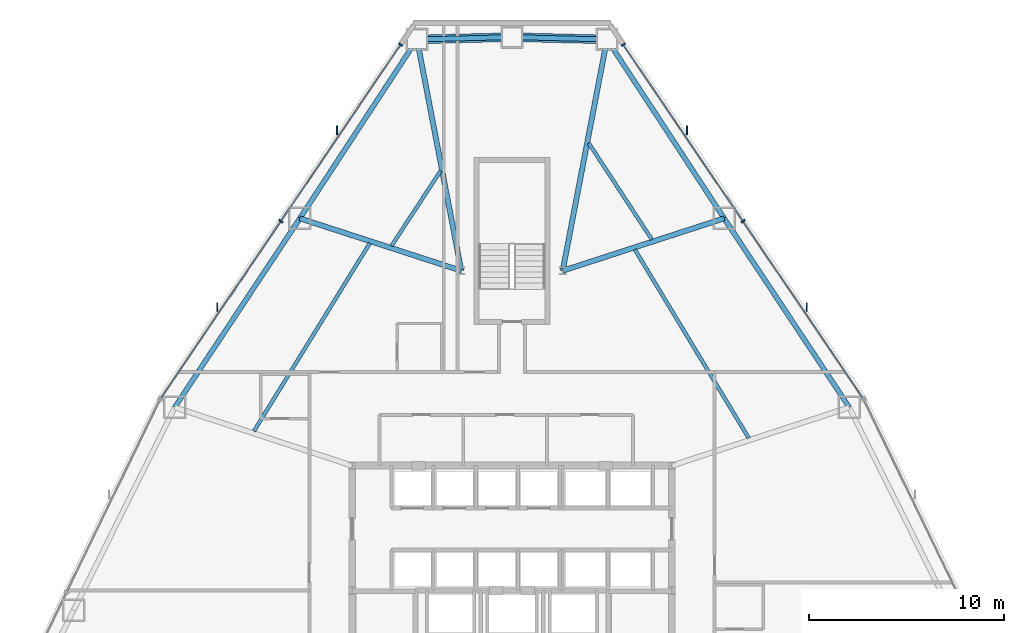
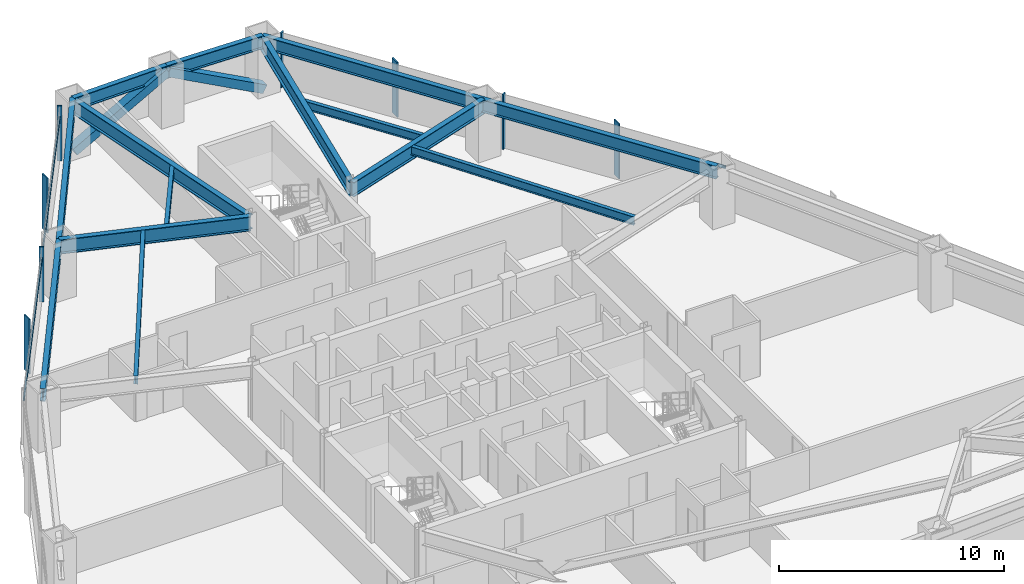
# One storey, part 7 of 12: 14 beams, 12 members, 2 elements without a shape of their own.
"""IFC4 building model written with IfcOpenShell, lengths in metres."""

from ifc_helpers import new_model, si_unit, direction, frame, origin, origin_2d, place, context, subcontext, project, spatial, rectangle, hollow_rectangle, i_section, extrude, source, transform, mapped, material, layer, layer_set, material_profile, profile_set, type_object, type_shapes, element, aggregate, save


model = new_model("IFC4")

# Units and contexts
model_context = context("Model", 3, precision=1e-05, world=origin(), true_north=direction((0.0, 1.0)))
body_context = subcontext(model_context, "Body", "Model", "MODEL_VIEW")
ifc_project = project(units=[si_unit("LENGTHUNIT", "METRE"), si_unit("AREAUNIT", "SQUARE_METRE"), si_unit("VOLUMEUNIT", "CUBIC_METRE"), si_unit("PLANEANGLEUNIT", "RADIAN"), si_unit("MASSUNIT", "GRAM", prefix="KILO")], contexts=[model_context])

# Site, building, storey
site_placement = place(None, origin())
site = spatial("IfcSite", under=ifc_project, at=site_placement, CompositionType="ELEMENT")
building_placement = place(site_placement, origin())
building = spatial("IfcBuilding", under=site, at=building_placement, Name="Varakhsha Concourse Tower", CompositionType="ELEMENT")
storey_placement = place(building_placement, frame((0.0, 0.0, 59.199951171875)))
storey = spatial("IfcBuildingStorey", under=building, at=storey_placement, Name="L16", CompositionType="ELEMENT", Elevation=59.199951171875)

# Beams
ifc_material_1 = material(Name="Structural Steel ASTM A992 Grade 50", Category="steel")
ifc_material_profile_1 = material_profile(ifc_material_1, i_section(OverallWidth=0.26611328125, OverallDepth=0.779052734375, WebThickness=0.01708984375, FlangeThickness=0.030029296875, at=origin_2d()), Name="W30X148")
ifc_profile_set_1 = profile_set([ifc_material_profile_1], Name="Structural Steel ASTM A992 Grade 50")
beam_type_1 = type_object("IfcBeamType", Name="BM-BASE-W30X148", PredefinedType="USERDEFINED", material=ifc_profile_set_1)
for number, where, z_axis, x_axis, name in (
    (1, (42.60009765625, 41.199951171875, 2.590576171875), (0.188222379663, 0.982126435747, 0.0), (-0.982126435747, 0.188222379663, 0.0), "L16 Radial Floor Girder 01"),
    (2, (37.39990234375, 41.199951171875, 2.590576171875), (-0.188222379663, 0.982126435747, 0.0), (-0.982126435747, -0.188222379663, 0.0), "L16 Radial Floor Girder 03"),
):
    element("IfcBeam", number, at=place(storey_placement, frame(where, z_axis=z_axis, x_axis=x_axis)), inside=storey, type_object=beam_type_1, Name=name, ObjectType="GIRDER", PredefinedType="USERDEFINED", context=body_context, shape_type="SweptSolid", body=[
        extrude(i_section(OverallWidth=0.26611328125, OverallDepth=0.779052734375, WebThickness=0.01708984375, FlangeThickness=0.030029296875, at=origin_2d()), origin(), (0.0, 0.0, 1.0), 12.083740234375),
    ])
for number, where, z_axis, x_axis, name in (
    (3, (37.39990234375, 41.199951171875, 2.590576171875), (-0.951195245135, 0.308589704354, 0.0), (-0.308589704354, -0.951195245135, 0.0), "L16 Radial Floor Girder 04"),
    (4, (42.60009765625, 41.199951171875, 2.590576171875), (0.951195245135, 0.308589704354, 0.0), (-0.308589704354, 0.951195245135, 0.0), "L16 Radial Floor Girder 18"),
):
    element("IfcBeam", number, at=place(storey_placement, frame(where, z_axis=z_axis, x_axis=x_axis)), inside=storey, type_object=beam_type_1, Name=name, ObjectType="GIRDER", PredefinedType="USERDEFINED", context=body_context, shape_type="SweptSolid", body=[
        extrude(i_section(OverallWidth=0.26611328125, OverallDepth=0.779052734375, WebThickness=0.01708984375, FlangeThickness=0.030029296875, at=origin_2d()), origin(), (0.0, 0.0, 1.0), 8.708984375),
    ])
ifc_material_profile_2 = material_profile(ifc_material_1, i_section(OverallWidth=0.19091796875, OverallDepth=0.45703125, WebThickness=0.009033203125, FlangeThickness=0.013916015625, at=origin_2d()), Name="W18X50")
ifc_profile_set_2 = profile_set([ifc_material_profile_2], Name="Structural Steel ASTM A992 Grade 50")
beam_type_2 = type_object("IfcBeamType", Name="BM-JST-W18X50", PredefinedType="JOIST", material=ifc_profile_set_2)
beam_1_placement = place(storey_placement, frame((36.339111328125, 46.32958984375, 2.75146484375), z_axis=(-0.547760334165, -0.836635294687, 0.0), x_axis=(0.836635294687, -0.547760334165, 0.0)))
element("IfcBeam", 5, at=beam_1_placement, inside=storey, type_object=beam_type_2, Name="BM-TJST-L16-03", PredefinedType="JOIST", context=body_context, shape_type="SweptSolid", body=[
    extrude(i_section(OverallWidth=0.19091796875, OverallDepth=0.45703125, WebThickness=0.009033203125, FlangeThickness=0.013916015625, at=origin_2d()), origin(), (0.0, 0.0, 1.0), 4.607666015625),
])
beam_2_placement = place(storey_placement, frame((32.703125, 42.611328125, 2.75146484375), z_axis=(-0.524765861285, -0.851246609878, 0.0), x_axis=(0.851246609878, -0.524765861285, 0.0)))
element("IfcBeam", 6, at=beam_2_placement, inside=storey, type_object=beam_type_2, Name="BM-TJST-L16-04", PredefinedType="JOIST", context=body_context, shape_type="SweptSolid", body=[
    extrude(i_section(OverallWidth=0.19091796875, OverallDepth=0.45703125, WebThickness=0.009033203125, FlangeThickness=0.013916015625, at=origin_2d()), origin(), (0.0, 0.0, 1.0), 11.32763671875),
])
beam_3_placement = place(storey_placement, frame((52.1494140625, 32.6103515625, 2.75146484375), z_axis=(-0.51713508233, 0.855903795192, 0.0), x_axis=(-0.855903795192, -0.51713508233, 0.0)))
element("IfcBeam", 7, at=beam_3_placement, inside=storey, type_object=beam_type_2, Name="BM-TJST-L16-17", PredefinedType="JOIST", context=body_context, shape_type="SweptSolid", body=[
    extrude(i_section(OverallWidth=0.19091796875, OverallDepth=0.45703125, WebThickness=0.009033203125, FlangeThickness=0.013916015625, at=origin_2d()), origin(), (0.0, 0.0, 1.0), 11.307373046875),
])
beam_4_placement = place(storey_placement, frame((47.1787109375, 42.797119140625, 2.75146484375), z_axis=(-0.547710053226, 0.836668212373, 0.0), x_axis=(-0.836668212373, -0.547710053226, 0.0)))
element("IfcBeam", 8, at=beam_4_placement, inside=storey, type_object=beam_type_2, Name="BM-TJST-L16-18", PredefinedType="JOIST", context=body_context, shape_type="SweptSolid", body=[
    extrude(i_section(OverallWidth=0.19091796875, OverallDepth=0.45703125, WebThickness=0.009033203125, FlangeThickness=0.013916015625, at=origin_2d()), origin(), (0.0, 0.0, 1.0), 5.92431640625),
])
ifc_material_profile_3 = material_profile(ifc_material_1, i_section(OverallWidth=0.25390625, OverallDepth=0.701904296875, WebThickness=0.014892578125, FlangeThickness=0.028076171875, at=origin_2d()), Name="W27X129")
ifc_profile_set_3 = profile_set([ifc_material_profile_3], Name="Structural Steel ASTM A992 Grade 50")
beam_type_3 = type_object("IfcBeamType", Name="BM-SPAN-W27X129", PredefinedType="SPANDREL", material=ifc_profile_set_3)
for number, where, z_axis, x_axis, name in (
    (9, (44.87451171875, 53.067626953125, 2.629150390625), (-0.999707523102, 0.024184049567, 0.0), (-0.024184049567, -0.999707523102, 0.0), "BM-SPAN-L16-01"),
    (10, (40.0, 53.185546875, 2.629150390625), (-0.999707523102, -0.024184049567, 0.0), (0.024184049567, -0.999707523102, 0.0), "BM-SPAN-L16-02"),
):
    element("IfcBeam", number, at=place(storey_placement, frame(where, z_axis=z_axis, x_axis=x_axis)), inside=storey, type_object=beam_type_3, Name=name, PredefinedType="SPANDREL", context=body_context, shape_type="SweptSolid", body=[
        extrude(i_section(OverallWidth=0.25390625, OverallDepth=0.701904296875, WebThickness=0.014892578125, FlangeThickness=0.028076171875, at=origin_2d()), origin(), (0.0, 0.0, 1.0), 4.8759765625),
    ])
beam_5_placement = place(storey_placement, frame((35.12548828125, 53.067626953125, 2.629150390625), z_axis=(-0.547702506559, -0.836673152616, 0.0), x_axis=(0.836673152616, -0.547702506559, 0.0)))
element("IfcBeam", 11, at=beam_5_placement, inside=storey, type_object=beam_type_3, Name="BM-SPAN-L16-03", PredefinedType="SPANDREL", context=body_context, shape_type="SweptSolid", body=[
    extrude(i_section(OverallWidth=0.25390625, OverallDepth=0.701904296875, WebThickness=0.014892578125, FlangeThickness=0.028076171875, at=origin_2d()), origin(), (0.0, 0.0, 1.0), 10.97216796875),
])
for number, where, z_axis, x_axis, name in (
    (12, (29.115966796875, 43.887451171875, 2.629150390625), (-0.552159070961, -0.833738784246, 0.0), (0.833738784246, -0.552159070961, 0.0), "BM-SPAN-L16-04"),
    (13, (57.305419921875, 34.19140625, 2.629150390625), (-0.552159070961, 0.833738784246, 0.0), (-0.833738784246, -0.552159070961, 0.0), "BM-SPAN-L16-17"),
):
    element("IfcBeam", number, at=place(storey_placement, frame(where, z_axis=z_axis, x_axis=x_axis)), inside=storey, type_object=beam_type_3, Name=name, PredefinedType="SPANDREL", context=body_context, shape_type="SweptSolid", body=[
        extrude(i_section(OverallWidth=0.25390625, OverallDepth=0.701904296875, WebThickness=0.014892578125, FlangeThickness=0.028076171875, at=origin_2d()), origin(), (0.0, 0.0, 1.0), 11.629638671875),
    ])
beam_6_placement = place(storey_placement, frame((50.884033203125, 43.887451171875, 2.629150390625), z_axis=(-0.547702506559, 0.836673152616, 0.0), x_axis=(-0.836673152616, -0.547702506559, 0.0)))
element("IfcBeam", 14, at=beam_6_placement, inside=storey, type_object=beam_type_3, Name="BM-SPAN-L16-18", PredefinedType="SPANDREL", context=body_context, shape_type="SweptSolid", body=[
    extrude(i_section(OverallWidth=0.25390625, OverallDepth=0.701904296875, WebThickness=0.014892578125, FlangeThickness=0.028076171875, at=origin_2d()), origin(), (0.0, 0.0, 1.0), 10.97216796875),
])

# Members
ifc_material_2 = material(Name="Structural Steel ASTM A500 Grade C", Category="steel")
ifc_material_profile_4 = material_profile(ifc_material_2, hollow_rectangle(XDim=0.449951171875, YDim=0.449951171875, WallThickness=0.01904296875, at=origin_2d()), Name="HSS 450x450x19")
ifc_profile_set_4 = profile_set([ifc_material_profile_4], Name="Structural Steel ASTM A500 Grade C")
member_type_1 = type_object("IfcMemberType", Name="MB-TUBE-HSS450", PredefinedType="BRACE", material=ifc_profile_set_4)
shared_shape_1 = source(origin(), body_context, "Body", "SweptSolid", [
    extrude(hollow_rectangle(XDim=0.449951171875, YDim=0.449951171875, WallThickness=0.01904296875, at=origin_2d()), origin(), (0.0, 0.0, 1.0), 5.507080078125),
])
type_shapes(member_type_1, [shared_shape_1])
for number, where, z_axis, x_axis, name in (
    (15, (44.87451171875, 53.067626953125, 0.1201171875), (-0.885142896745, 0.02141260238, 0.464826368445), (-0.024184049567, -0.999707523102, 0.0), "L16 Wind-Corner Tube Brace B01"),
    (16, (35.12548828125, 53.067626953125, 0.1201171875), (0.885142896745, 0.02141260238, 0.464826368445), (-0.024184049567, 0.999707523102, 0.0), "L16 Wind-Corner Tube Brace B02"),
):
    element("IfcMember", number, at=place(storey_placement, frame(where, z_axis=z_axis, x_axis=x_axis)), inside=storey, type_object=member_type_1, Name=name, PredefinedType="BRACE", context=body_context, shape_type="MappedRepresentation", body=[
        mapped(shared_shape_1, transform((0.0, 0.0, 0.0), scale=1.0)),
    ])

# Curtain wall, members
ifc_material_3 = material(Name="Anodised Bronze Architectural Aluminium AA 6063-T6", Category="aluminium")
ifc_layer = layer(ifc_material_3, 0.219970703125, Name="CW-SYS-02")
ifc_layer_set = layer_set([ifc_layer], Name="Anodised Bronze Architectural Aluminium AA 6063-T6")
curtain_wall_type = type_object("IfcCurtainWallType", Name="CW-SYS-02", PredefinedType="NOTDEFINED", material=ifc_layer_set)
curtain_wall_1_placement = place(storey_placement, origin())
curtain_wall_1 = element("IfcCurtainWall", 17, at=curtain_wall_1_placement, inside=storey, type_object=curtain_wall_type, Name="L16 Crystal Curtain Wall F2", PredefinedType="NOTDEFINED")
ifc_material_profile_5 = material_profile(ifc_material_3, rectangle(XDim=0.074951171875, YDim=0.219970703125, at=origin_2d()), Name="CWM-220X75")
ifc_profile_set_5 = profile_set([ifc_material_profile_5], Name="Anodised Bronze Architectural Aluminium AA 6063-T6")
member_type_2 = type_object("IfcMemberType", Name="CWM-220X75", PredefinedType="MULLION", material=ifc_profile_set_5)
shared_shape_2 = source(origin(), body_context, "Body", "SweptSolid", [
    extrude(rectangle(XDim=0.074951171875, YDim=0.219970703125, at=origin_2d()), origin(), (0.0, 0.0, 1.0), 2.97998046875),
])
type_shapes(member_type_2, [shared_shape_2])
member_1_placement = place(storey_placement, frame((28.143798828125, 43.737060546875, 0.0), z_axis=(0.0, 0.0, 1.0), x_axis=(0.561391731634, 0.827550194038, 0.0)))
member_1 = element("IfcMember", 18, at=member_1_placement, type_object=member_type_2, Name="CW-L16-F2 Mullion 01", PredefinedType="MULLION", context=body_context, shape_type="MappedRepresentation", body=[
    mapped(shared_shape_2, transform((0.0, 0.0, 0.0), scale=1.0)),
])
member_2_placement = place(storey_placement, frame((34.292236328125, 52.800537109375, 0.0), z_axis=(0.0, 0.0, 1.0), x_axis=(0.561391731634, 0.827550194038, 0.0)))
member_2 = element("IfcMember", 19, at=member_2_placement, type_object=member_type_2, Name="CW-L16-F2 Mullion 02", PredefinedType="MULLION", context=body_context, shape_type="MappedRepresentation", body=[
    mapped(shared_shape_2, transform((0.0, 0.0, 0.0), scale=1.0)),
])

curtain_wall_2_placement = place(storey_placement, origin())
curtain_wall_2 = element("IfcCurtainWall", 20, at=curtain_wall_2_placement, inside=storey, type_object=curtain_wall_type, Name="L16 Crystal Curtain Wall F9", PredefinedType="NOTDEFINED")
member_3_placement = place(storey_placement, frame((45.707763671875, 52.800537109375, 0.0), z_axis=(0.0, 0.0, 1.0), x_axis=(0.561391731634, -0.827550194038, 0.0)))
member_3 = element("IfcMember", 21, at=member_3_placement, type_object=member_type_2, Name="CW-L16-F9 Mullion 00", PredefinedType="MULLION", context=body_context, shape_type="MappedRepresentation", body=[
    mapped(shared_shape_2, transform((0.0, 0.0, 0.0), scale=1.0)),
])
member_4_placement = place(storey_placement, frame((51.856201171875, 43.737060546875, 0.0), z_axis=(0.0, 0.0, 1.0), x_axis=(0.561391731634, -0.827550194038, 0.0)))
member_4 = element("IfcMember", 22, at=member_4_placement, type_object=member_type_2, Name="CW-L16-F9 Mullion 01", PredefinedType="MULLION", context=body_context, shape_type="MappedRepresentation", body=[
    mapped(shared_shape_2, transform((0.0, 0.0, 0.0), scale=1.0)),
])

# Member
ifc_material_profile_6 = material_profile(ifc_material_3, rectangle(XDim=0.06494140625, YDim=0.449951171875, at=origin_2d()), Name="FIN-BRZ-450")
ifc_profile_set_6 = profile_set([ifc_material_profile_6], Name="Anodised Bronze Architectural Aluminium AA 6063-T6")
member_type_3 = type_object("IfcMemberType", Name="FIN-BRZ-450", PredefinedType="USERDEFINED", material=ifc_profile_set_6)
shared_shape_3 = source(origin(), body_context, "Body", "SweptSolid", [
    extrude(rectangle(XDim=0.06494140625, YDim=0.449951171875, at=origin_2d()), origin(), (0.0, 0.0, 1.0), 2.97998046875),
])
type_shapes(member_type_3, [shared_shape_3])
member_5_placement = place(storey_placement, frame((24.87109375, 39.340087890625, 0.0), z_axis=(0.0, 0.0, 1.0), x_axis=(1.0, 0.0, 0.0)))
member_5 = element("IfcMember", 23, at=member_5_placement, type_object=member_type_3, Name="L16 Anodised Bronze Solar Fin F2-1", ObjectType="SOLAR FIN", PredefinedType="USERDEFINED", context=body_context, shape_type="MappedRepresentation", body=[
    mapped(shared_shape_3, transform((0.0, 0.0, 0.0), scale=1.0)),
])

member_6_placement = place(storey_placement, frame((31.01953125, 48.403564453125, 0.0), z_axis=(0.0, 0.0, 1.0), x_axis=(1.0, 0.0, 0.0)))
member_6 = element("IfcMember", 24, at=member_6_placement, type_object=member_type_3, Name="L16 Anodised Bronze Solar Fin F2-2", ObjectType="SOLAR FIN", PredefinedType="USERDEFINED", context=body_context, shape_type="MappedRepresentation", body=[
    mapped(shared_shape_3, transform((0.0, 0.0, 0.0), scale=1.0)),
])

member_7_placement = place(storey_placement, frame((48.98046875, 48.403564453125, 0.0), z_axis=(0.0, 0.0, 1.0), x_axis=(1.0, 0.0, 0.0)))
member_7 = element("IfcMember", 25, at=member_7_placement, type_object=member_type_3, Name="L16 Anodised Bronze Solar Fin F9-1", ObjectType="SOLAR FIN", PredefinedType="USERDEFINED", context=body_context, shape_type="MappedRepresentation", body=[
    mapped(shared_shape_3, transform((0.0, 0.0, 0.0), scale=1.0)),
])

member_8_placement = place(storey_placement, frame((55.12890625, 39.340087890625, 0.0), z_axis=(0.0, 0.0, 1.0), x_axis=(1.0, 0.0, 0.0)))
member_8 = element("IfcMember", 26, at=member_8_placement, type_object=member_type_3, Name="L16 Anodised Bronze Solar Fin F9-2", ObjectType="SOLAR FIN", PredefinedType="USERDEFINED", context=body_context, shape_type="MappedRepresentation", body=[
    mapped(shared_shape_3, transform((0.0, 0.0, 0.0), scale=1.0)),
])

ifc_material_profile_7 = material_profile(ifc_material_3, rectangle(XDim=0.06494140625, YDim=0.159912109375, at=origin_2d()), Name="CWT-160X65")
ifc_profile_set_7 = profile_set([ifc_material_profile_7], Name="Anodised Bronze Architectural Aluminium AA 6063-T6")
member_type_4 = type_object("IfcMemberType", Name="CWT-160X65", PredefinedType="USERDEFINED", material=ifc_profile_set_7)
shared_shape_4 = source(origin(), body_context, "Body", "SweptSolid", [
    extrude(rectangle(XDim=0.06494140625, YDim=0.159912109375, at=origin_2d()), origin(), (0.0, 0.0, 1.0), 21.904296875),
])
type_shapes(member_type_4, [shared_shape_4])
member_9_placement = place(storey_placement, frame((21.99560546875, 34.673583984375, 2.330078125), z_axis=(0.561382575492, 0.827556405288, 0.0), x_axis=(-0.827556405288, 0.561382575492, 0.0)))
member_9 = element("IfcMember", 27, at=member_9_placement, type_object=member_type_4, Name="CW-L16-F2 Transom 01", ObjectType="TRANSOM", PredefinedType="USERDEFINED", context=body_context, shape_type="MappedRepresentation", body=[
    mapped(shared_shape_4, transform((0.0, 0.0, 0.0), scale=1.0)),
])

aggregate(curtain_wall_1, [member_1, member_2, member_9, member_5, member_6])

member_10_placement = place(storey_placement, frame((45.707763671875, 52.800537109375, 2.330078125), z_axis=(0.561382575492, -0.827556405288, 0.0), x_axis=(0.827556405288, 0.561382575492, 0.0)))
member_10 = element("IfcMember", 28, at=member_10_placement, type_object=member_type_4, Name="CW-L16-F9 Transom 01", ObjectType="TRANSOM", PredefinedType="USERDEFINED", context=body_context, shape_type="MappedRepresentation", body=[
    mapped(shared_shape_4, transform((0.0, 0.0, 0.0), scale=1.0)),
])

aggregate(curtain_wall_2, [member_3, member_4, member_10, member_7, member_8])

save(model, "model.ifc")
